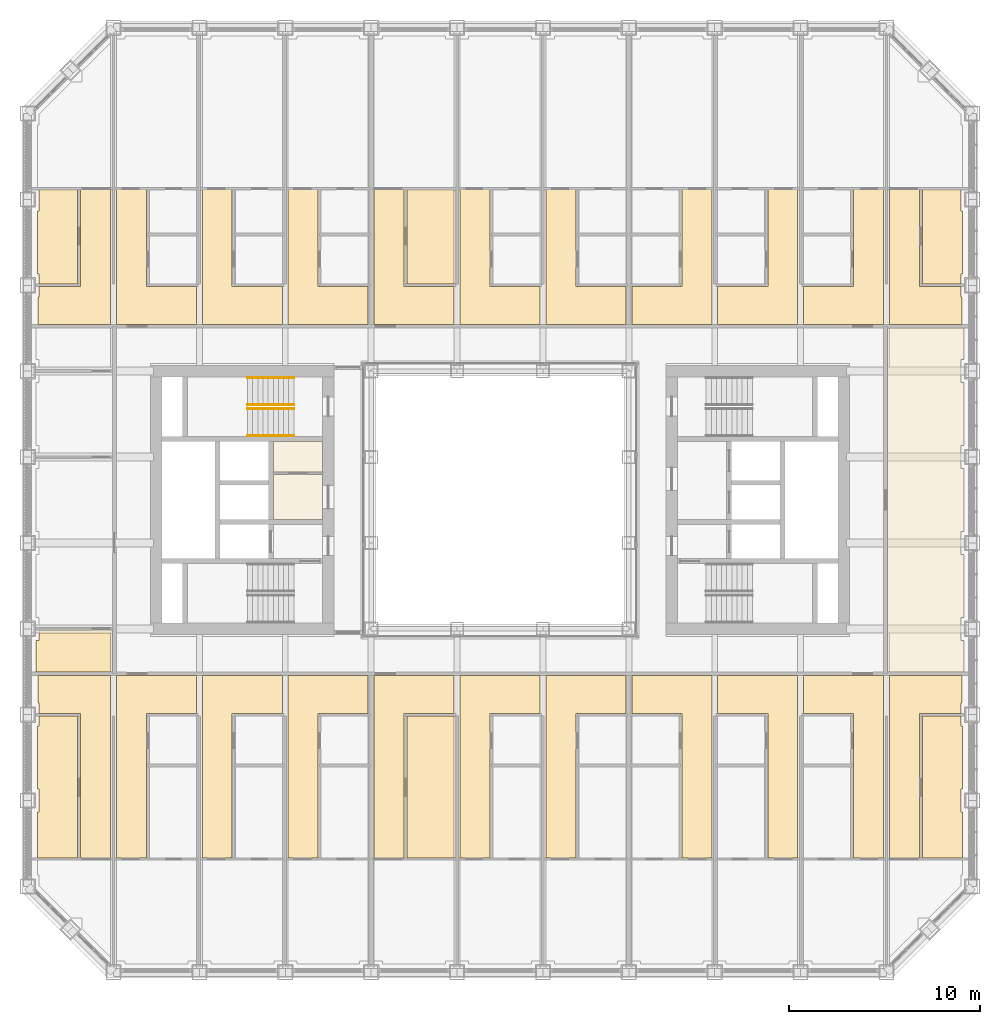
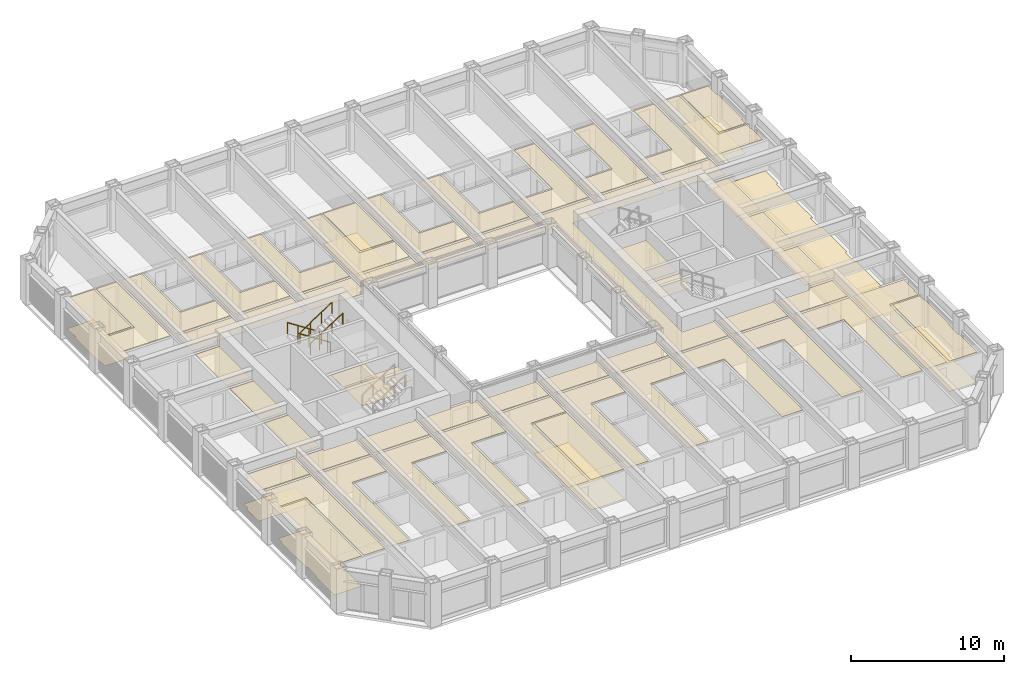
# One storey, part 18 of 21: 4 railings, 3 coverings.
"""IFC4 building model written with IfcOpenShell, lengths in metres."""

import ifcopenshell
import ifcopenshell.guid

model = None  # the IFC model being written
_history = None  # IfcOwnerHistory: only IFC2X3 demands one
_inside = {}  # id of a spatial element -> (the spatial element, [elements in it])
_under = {}  # id of a project, library or spatial element -> (it, [spatial elements below it])
_declared = {}  # id of a project -> (the project, [libraries it declares])
_typed = {}  # id of a type object -> (the type object, [elements of that type])
_made_of = {}  # id of a material, layer set ... -> (it, [elements and type objects made of it])


def new_model(schema):
    """Start an empty IFC model of exactly this schema.

    Asked for "IFC4X3", IfcOpenShell would pick the latest addendum, in which some entities
    have other attributes; the version numbers below select the first issue.
    IFC2X3 requires an IfcOwnerHistory on every rooted entity: one is made here for all.
    """
    global model, _history
    if schema == "IFC4X3":
        model = ifcopenshell.file(schema_version=(4, 3, 0, 0))
    else:
        model = ifcopenshell.file(schema=schema)
    _inside.clear()
    _under.clear()
    _declared.clear()
    _typed.clear()
    _made_of.clear()
    _history = None
    if model.schema == "IFC2X3":
        org = make("IfcOrganization", Name="unknown")
        user = make(
            "IfcPersonAndOrganization",
            ThePerson=make("IfcPerson", FamilyName="unknown"),
            TheOrganization=org,
        )
        app = make(
            "IfcApplication",
            ApplicationDeveloper=org,
            Version="unknown",
            ApplicationFullName="unknown",
            ApplicationIdentifier="unknown",
        )
        _history = make(
            "IfcOwnerHistory",
            OwningUser=user,
            OwningApplication=app,
            ChangeAction="ADDED",
            CreationDate=0,
        )
    return model


def make(cls, **values):
    """One entity of the class cls with the attributes given. An attribute that is None is left unset."""
    return model.create_entity(
        cls, **{name: value for name, value in values.items() if value is not None}
    )


def rooted(cls, **values):
    """An entity with a GlobalId (a new one), such as an element, a storey or a relation."""
    return make(cls, GlobalId=ifcopenshell.guid.new(), OwnerHistory=_history, **values)


def si_unit(unit_type, name, prefix=None):
    """IfcSIUnit, for example si_unit("LENGTHUNIT", "METRE", prefix="MILLI")."""
    return make("IfcSIUnit", UnitType=unit_type, Prefix=prefix, Name=name)


def assignment(units):
    """IfcUnitAssignment: the units of a project."""
    return None if units is None else make("IfcUnitAssignment", Units=units)


def point(xyz):
    """IfcCartesianPoint."""
    return None if xyz is None else make("IfcCartesianPoint", Coordinates=xyz)


def direction(xyz):
    """IfcDirection."""
    return None if xyz is None else make("IfcDirection", DirectionRatios=xyz)


def frame(location, z_axis=None, x_axis=None):
    """IfcAxis2Placement3D, a coordinate frame: its origin and axes. An axis left out is left unset."""
    return make(
        "IfcAxis2Placement3D",
        Location=point(location),
        Axis=direction(z_axis),
        RefDirection=direction(x_axis),
    )


def frame_2d(location, x_axis=None):
    """IfcAxis2Placement2D, a coordinate frame in the plane: its origin and x axis."""
    return make(
        "IfcAxis2Placement2D", Location=point(location), RefDirection=direction(x_axis)
    )


def origin():
    """The frame at (0, 0, 0) with its axes left unset."""
    return frame((0.0, 0.0, 0.0))


def origin_2d():
    """The frame at (0, 0) in the plane with its x axis left unset."""
    return frame_2d((0.0, 0.0))


def place(relative_to, where):
    """IfcLocalPlacement: puts the frame where relative to a parent placement (None: the world)."""
    return make(
        "IfcLocalPlacement", PlacementRelTo=relative_to, RelativePlacement=where
    )


def context(
    kind, dimensions, precision=None, world=None, true_north=None, identifier=None
):
    """IfcGeometricRepresentationContext, for example the 3D "Model" context."""
    return make(
        "IfcGeometricRepresentationContext",
        ContextIdentifier=identifier,
        ContextType=kind,
        CoordinateSpaceDimension=dimensions,
        Precision=precision,
        WorldCoordinateSystem=world,
        TrueNorth=true_north,
    )


def subcontext(parent, identifier, kind, view, scale=None):
    """IfcGeometricRepresentationSubContext, for example "Body" below "Model"."""
    return make(
        "IfcGeometricRepresentationSubContext",
        ContextIdentifier=identifier,
        ContextType=kind,
        ParentContext=parent,
        TargetScale=scale,
        TargetView=view,
    )


def project(units=None, contexts=None):
    """IfcProject with its units and contexts."""
    return rooted(
        "IfcProject",
        Name="project",
        RepresentationContexts=contexts,
        UnitsInContext=assignment(units),
    )


def spatial(cls, under=None, at=None, **own):
    """A site, building, storey or space (cls), placed at a placement, below another one or the project."""
    s = rooted(cls, ObjectPlacement=at, **own)
    if under is not None:
        _under.setdefault(under.id(), (under, []))[1].append(s)
    return s


def point_list(points):
    """IfcCartesianPointList2D or 3D."""
    cls = (
        "IfcCartesianPointList2D" if len(points[0]) == 2 else "IfcCartesianPointList3D"
    )
    return make(cls, CoordList=points)


def line(*indices):
    """IfcLineIndex: a straight run through numbered points of an indexed curve."""
    return model.create_entity("IfcLineIndex", indices)


def indexed_curve(points, segments=None, self_intersect=None):
    """IfcIndexedPolyCurve: lines and arcs through numbered points (the first is 1)."""
    return make(
        "IfcIndexedPolyCurve",
        Points=point_list(points),
        Segments=segments,
        SelfIntersect=self_intersect,
    )


def profile(cls, at=None, kind="AREA", **sizes):
    """A parametric profile (cls). Its sizes go by their IFC names, for example OverallWidth=200.0."""
    return make(cls, ProfileType=kind, Position=at, **sizes)


def circle(**sizes):
    """IfcCircleProfileDef."""
    return profile("IfcCircleProfileDef", **sizes)


def outline(outer, holes=None, kind="AREA"):
    """IfcArbitraryClosedProfileDef: a profile drawn as a closed curve; with holes, ...WithVoids."""
    if holes is None:
        return make("IfcArbitraryClosedProfileDef", ProfileType=kind, OuterCurve=outer)
    return make(
        "IfcArbitraryProfileDefWithVoids",
        ProfileType=kind,
        OuterCurve=outer,
        InnerCurves=holes,
    )


def extrude(swept, where, along, depth):
    """IfcExtrudedAreaSolid: the profile swept, set in the frame where, extruded along a direction by depth."""
    return make(
        "IfcExtrudedAreaSolid",
        SweptArea=swept,
        Position=where,
        ExtrudedDirection=direction(along),
        Depth=depth,
    )


def shape(context_of_items, identifier, shape_type, items):
    """IfcShapeRepresentation: the items that make up one representation, for example the "Body"."""
    return make(
        "IfcShapeRepresentation",
        ContextOfItems=context_of_items,
        RepresentationIdentifier=identifier,
        RepresentationType=shape_type,
        Items=items,
    )


def material(Name=None, Category=None):
    """IfcMaterial."""
    return make("IfcMaterial", Name=Name, Category=Category)


def layer(
    of_material, thickness, ventilated=None, Name=None, Category=None, Priority=None
):
    """IfcMaterialLayer: one layer of a wall or slab, of a material (None: an air gap)."""
    return make(
        "IfcMaterialLayer",
        Material=of_material,
        LayerThickness=thickness,
        IsVentilated=ventilated,
        Name=Name,
        Category=Category,
        Priority=Priority,
    )


def layer_set(layers, Name=None):
    """IfcMaterialLayerSet."""
    return make("IfcMaterialLayerSet", MaterialLayers=layers, LayerSetName=Name)


def made_of(thing, what):
    """Note that an element or type object is made of a material, layer set ...; save() writes the relation."""
    if what is not None:
        _made_of.setdefault(what.id(), (what, []))[1].append(thing)
    return thing


def type_object(cls, material=None, **own):
    """A type object (cls), such as IfcWallType, which elements share."""
    return made_of(rooted(cls, **own), material)


def element(
    cls,
    number,
    at=None,
    inside=None,
    cuts=None,
    type_object=None,
    material=None,
    context=None,
    identifier="Body",
    shape_type=None,
    held_by="IfcProductDefinitionShape",
    body=None,
    shapes=None,
    **own,
):
    """One element of the class cls, such as IfcWall. Its Tag is "e" and its number.

    at: its placement. inside: the storey or other place that contains it. cuts: it is an
    opening in that element (IfcRelVoidsElement). A single representation is given by context,
    identifier, shape_type and body (its items); several are given by shapes. held_by: the class
    of the entity that holds the representations. save() writes the other relations.
    """
    e = rooted(cls, Tag="e%d" % number, ObjectPlacement=at, **own)
    if body is not None:
        shapes = [shape(context, identifier, shape_type, body)]
    if shapes is not None:
        e.Representation = make(held_by, Representations=shapes)
    if inside is not None:
        _inside.setdefault(inside.id(), (inside, []))[1].append(e)
    if cuts is not None:
        rooted(
            "IfcRelVoidsElement", RelatingBuildingElement=cuts, RelatedOpeningElement=e
        )
    if type_object is not None:
        _typed.setdefault(type_object.id(), (type_object, []))[1].append(e)
    return made_of(e, material)


def aggregate(whole, parts):
    """IfcRelAggregates: a whole, such as a stair, and the parts it consists of."""
    return rooted("IfcRelAggregates", RelatingObject=whole, RelatedObjects=parts)


def save(model, path):
    """Write the relations noted so far, then the file.

    IfcRelAggregates (storeys below a building ...), IfcRelContainedInSpatialStructure (elements
    in a storey), IfcRelDefinesByType, IfcRelAssociatesMaterial and IfcRelDeclares: one each for
    every whole, place, type object, material and project.
    """
    for whole, parts in _under.values():
        aggregate(whole, parts)
    for where, things in _inside.values():
        rooted(
            "IfcRelContainedInSpatialStructure",
            RelatedElements=things,
            RelatingStructure=where,
        )
    for kind, things in _typed.values():
        rooted("IfcRelDefinesByType", RelatedObjects=things, RelatingType=kind)
    for what, things in _made_of.values():
        rooted("IfcRelAssociatesMaterial", RelatedObjects=things, RelatingMaterial=what)
    for by, libraries in _declared.values():
        rooted("IfcRelDeclares", RelatingContext=by, RelatedDefinitions=libraries)
    model.write(path)


model = new_model("IFC4")

# Units and contexts
model_context = context("Model", 3, precision=1e-05, world=origin(), true_north=direction((0.0, 1.0)))
body_context = subcontext(model_context, "Body", "Model", "MODEL_VIEW")
ifc_project = project(units=[si_unit("LENGTHUNIT", "METRE"), si_unit("AREAUNIT", "SQUARE_METRE"), si_unit("VOLUMEUNIT", "CUBIC_METRE"), si_unit("PLANEANGLEUNIT", "RADIAN"), si_unit("MASSUNIT", "GRAM", prefix="KILO")], contexts=[model_context])

# Site, building, storey
site_placement = place(None, origin())
site = spatial("IfcSite", under=ifc_project, at=site_placement, CompositionType="ELEMENT")
building_placement = place(site_placement, origin())
building = spatial("IfcBuilding", under=site, at=building_placement, Name="Msasa Ring Tower", CompositionType="ELEMENT")
storey_placement = place(building_placement, frame((0.0, 0.0, 93.0)))
storey = spatial("IfcBuildingStorey", under=building, at=storey_placement, Name="L24", CompositionType="ELEMENT", Elevation=93.0)

# Coverings
ifc_material_1 = material(Name="Gypsum plasterboard on a steel suspension grid", Category="steel")
ifc_layer_1 = layer(ifc_material_1, 0.014892578125)
ifc_layer_set_1 = layer_set([ifc_layer_1], Name="C1 SUSPENDED PLASTERBOARD CEILING 15")
covering_type_1 = type_object("IfcCoveringType", Name="C1 SUSPENDED PLASTERBOARD CEILING 15", PredefinedType="CEILING", material=ifc_layer_set_1)
covering_1_placement = place(storey_placement, frame((0.0, 0.0, 2.39990234375)))
element("IfcCovering", 1, at=covering_1_placement, inside=storey, type_object=covering_type_1, Name="Suspended Plasterboard Ceiling 15 circulation L24", PredefinedType="CEILING", context=body_context, shape_type="SweptSolid", body=[
    extrude(outline(indexed_curve([(-21.969482421875, -18.757080078125), (-21.969482421875, -11.18701171875), (-24.1494140625, -11.18701171875), (-24.1494140625, -10.6494140625), (-24.199462890625, -10.6494140625), (-24.199462890625, -9.200439453125), (-20.404296875, -9.200439453125), (-20.404296875, -18.757080078125)], segments=[line(1, 2, 3, 4, 5, 6, 7, 8, 1)], self_intersect=False)), origin(), (0.0, 0.0, 1.0), 0.01513671875),
    extrude(outline(indexed_curve([(-24.199462890625, 9.200439453125), (-24.199462890625, 10.6494140625), (-24.1494140625, 10.6494140625), (-24.1494140625, 11.18701171875), (-21.969482421875, 11.18701171875), (-21.969482421875, 16.257080078125), (-20.404296875, 16.257080078125), (-20.404296875, 9.200439453125)], segments=[line(1, 2, 3, 4, 5, 6, 7, 8, 1)], self_intersect=False)), origin(), (0.0, 0.0, 1.0), 0.01513671875),
    extrude(outline(indexed_curve([(-20.099609375, -2.460693359375), (-18.300537109375, -2.460693359375), (-18.300537109375, -6.539306640625), (-20.099609375, -6.539306640625)], segments=[line(1, 2, 3, 4, 1)], self_intersect=False)), origin(), (0.0, 0.0, 1.0), 0.01513671875),
    extrude(outline(indexed_curve([(-20.099609375, 2.039306640625), (-18.300537109375, 2.039306640625), (-18.300537109375, -2.039306640625), (-20.099609375, -2.039306640625)], segments=[line(1, 2, 3, 4, 1)], self_intersect=False)), origin(), (0.0, 0.0, 1.0), 0.01513671875),
    extrude(outline(indexed_curve([(-20.099609375, 6.539306640625), (-18.300537109375, 6.539306640625), (-18.300537109375, 2.460693359375), (-20.099609375, 2.460693359375)], segments=[line(1, 2, 3, 4, 1)], self_intersect=False)), origin(), (0.0, 0.0, 1.0), 0.01513671875),
    extrude(outline(indexed_curve([(-18.530517578125, -11.18701171875), (-18.530517578125, -18.757080078125), (-20.095703125, -18.757080078125), (-20.095703125, -9.200439453125), (-15.904296875, -9.200439453125), (-15.904296875, -11.18701171875)], segments=[line(1, 2, 3, 4, 5, 6, 1)], self_intersect=False)), origin(), (0.0, 0.0, 1.0), 0.01513671875),
    extrude(outline(indexed_curve([(-20.095703125, -8.99951171875), (-20.095703125, -6.960693359375), (-18.300537109375, -6.960693359375), (-18.300537109375, -7.150390625), (-15.904296875, -7.150390625), (-15.904296875, -8.99951171875)], segments=[line(1, 2, 3, 4, 5, 6, 1)], self_intersect=False)), origin(), (0.0, 0.0, 1.0), 0.01513671875),
    extrude(outline(indexed_curve([(-15.904296875, 8.99951171875), (-15.904296875, 7.150390625), (-18.300537109375, 7.150390625), (-18.300537109375, 6.960693359375), (-20.095703125, 6.960693359375), (-20.095703125, 8.99951171875)], segments=[line(1, 2, 3, 4, 5, 6, 1)], self_intersect=False)), origin(), (0.0, 0.0, 1.0), 0.01513671875),
    extrude(outline(indexed_curve([(-18.530517578125, 16.257080078125), (-18.530517578125, 11.18701171875), (-15.904296875, 11.18701171875), (-15.904296875, 9.200439453125), (-20.095703125, 9.200439453125), (-20.095703125, 16.257080078125)], segments=[line(1, 2, 3, 4, 5, 6, 1)], self_intersect=False)), origin(), (0.0, 0.0, 1.0), 0.01513671875),
    extrude(outline(indexed_curve([(-14.030517578125, -11.18701171875), (-14.030517578125, -18.757080078125), (-15.595703125, -18.757080078125), (-15.595703125, -9.200439453125), (-11.404296875, -9.200439453125), (-11.404296875, -11.18701171875)], segments=[line(1, 2, 3, 4, 5, 6, 1)], self_intersect=False)), origin(), (0.0, 0.0, 1.0), 0.01513671875),
    extrude(outline(indexed_curve([(-15.595703125, -8.99951171875), (-15.595703125, -7.150390625), (-11.404296875, -7.150390625), (-11.404296875, -8.99951171875)], segments=[line(1, 2, 3, 4, 1)], self_intersect=False)), origin(), (0.0, 0.0, 1.0), 0.01513671875),
    extrude(outline(indexed_curve([(-11.404296875, 8.99951171875), (-11.404296875, 7.150390625), (-15.595703125, 7.150390625), (-15.595703125, 8.99951171875)], segments=[line(1, 2, 3, 4, 1)], self_intersect=False)), origin(), (0.0, 0.0, 1.0), 0.01513671875),
    extrude(outline(indexed_curve([(-14.030517578125, 16.257080078125), (-14.030517578125, 11.18701171875), (-11.404296875, 11.18701171875), (-11.404296875, 9.200439453125), (-15.595703125, 9.200439453125), (-15.595703125, 16.257080078125)], segments=[line(1, 2, 3, 4, 5, 6, 1)], self_intersect=False)), origin(), (0.0, 0.0, 1.0), 0.01513671875),
    extrude(outline(indexed_curve([(-11.87451171875, -1.275390625), (-9.300537109375, -1.275390625), (-9.300537109375, -3.074462890625), (-11.87451171875, -3.074462890625)], segments=[line(1, 2, 3, 4, 1)], self_intersect=False)), origin(), (0.0, 0.0, 1.0), 0.01513671875),
    extrude(outline(indexed_curve([(-6.904296875, -9.200439453125), (-6.904296875, -11.18701171875), (-9.530517578125, -11.18701171875), (-9.530517578125, -18.757080078125), (-11.095703125, -18.757080078125), (-11.095703125, -9.200439453125)], segments=[line(1, 2, 3, 4, 5, 6, 1)], self_intersect=False)), origin(), (0.0, 0.0, 1.0), 0.01513671875),
    extrude(outline(indexed_curve([(-11.095703125, -8.99951171875), (-11.095703125, -7.150390625), (-8.699462890625, -7.150390625), (-8.699462890625, -7.050537109375), (-7.280029296875, -7.050537109375), (-7.275390625, -7.275390625), (-6.904296875, -7.280029296875), (-6.904296875, -8.99951171875)], segments=[line(1, 2, 3, 4, 5, 6, 7, 8, 1)], self_intersect=False)), origin(), (0.0, 0.0, 1.0), 0.01513671875),
    extrude(outline(indexed_curve([(-6.904296875, 8.99951171875), (-6.904296875, 7.280029296875), (-7.275390625, 7.275390625), (-7.280029296875, 7.050537109375), (-8.699462890625, 7.050537109375), (-8.699462890625, 7.150390625), (-11.095703125, 7.150390625), (-11.095703125, 8.99951171875)], segments=[line(1, 2, 3, 4, 5, 6, 7, 8, 1)], self_intersect=False)), origin(), (0.0, 0.0, 1.0), 0.01513671875),
    extrude(outline(indexed_curve([(-9.530517578125, 16.257080078125), (-9.530517578125, 11.18701171875), (-6.904296875, 11.18701171875), (-6.904296875, 9.200439453125), (-11.095703125, 9.200439453125), (-11.095703125, 16.257080078125)], segments=[line(1, 2, 3, 4, 5, 6, 1)], self_intersect=False)), origin(), (0.0, 0.0, 1.0), 0.01513671875),
    extrude(outline(indexed_curve([(-5.030517578125, -11.18701171875), (-5.030517578125, -18.757080078125), (-6.595703125, -18.757080078125), (-6.595703125, -9.200439453125), (-2.404296875, -9.200439453125), (-2.404296875, -11.18701171875)], segments=[line(1, 2, 3, 4, 5, 6, 1)], self_intersect=False)), origin(), (0.0, 0.0, 1.0), 0.01513671875),
    extrude(outline(indexed_curve([(-6.595703125, -8.99951171875), (-6.595703125, -7.280029296875), (-2.404296875, -7.280029296875), (-2.404296875, -8.99951171875)], segments=[line(1, 2, 3, 4, 1)], self_intersect=False)), origin(), (0.0, 0.0, 1.0), 0.01513671875),
    extrude(outline(indexed_curve([(-2.404296875, 8.99951171875), (-2.404296875, 7.280029296875), (-6.595703125, 7.280029296875), (-6.595703125, 8.99951171875)], segments=[line(1, 2, 3, 4, 1)], self_intersect=False)), origin(), (0.0, 0.0, 1.0), 0.01513671875),
    extrude(outline(indexed_curve([(-2.404296875, 11.18701171875), (-2.404296875, 9.200439453125), (-6.595703125, 9.200439453125), (-6.595703125, 16.257080078125), (-5.030517578125, 16.257080078125), (-5.030517578125, 11.18701171875)], segments=[line(1, 2, 3, 4, 5, 6, 1)], self_intersect=False)), origin(), (0.0, 0.0, 1.0), 0.01513671875),
    extrude(outline(indexed_curve([(-0.530517578125, -11.18701171875), (-0.530517578125, -18.757080078125), (-2.095703125, -18.757080078125), (-2.095703125, -9.200439453125), (2.095703125, -9.200439453125), (2.095703125, -11.18701171875)], segments=[line(1, 2, 3, 4, 5, 6, 1)], self_intersect=False)), origin(), (0.0, 0.0, 1.0), 0.01513671875),
    extrude(outline(indexed_curve([(-2.095703125, -8.99951171875), (-2.095703125, -7.280029296875), (2.095703125, -7.280029296875), (2.095703125, -8.99951171875)], segments=[line(1, 2, 3, 4, 1)], self_intersect=False)), origin(), (0.0, 0.0, 1.0), 0.01513671875),
    extrude(outline(indexed_curve([(2.095703125, 8.99951171875), (2.095703125, 7.280029296875), (-2.095703125, 7.280029296875), (-2.095703125, 8.99951171875)], segments=[line(1, 2, 3, 4, 1)], self_intersect=False)), origin(), (0.0, 0.0, 1.0), 0.01513671875),
    extrude(outline(indexed_curve([(-0.530517578125, 16.257080078125), (-0.530517578125, 11.18701171875), (2.095703125, 11.18701171875), (2.095703125, 9.200439453125), (-2.095703125, 9.200439453125), (-2.095703125, 16.257080078125)], segments=[line(1, 2, 3, 4, 5, 6, 1)], self_intersect=False)), origin(), (0.0, 0.0, 1.0), 0.01513671875),
    extrude(outline(indexed_curve([(6.595703125, -9.200439453125), (6.595703125, -11.18701171875), (3.969482421875, -11.18701171875), (3.969482421875, -18.757080078125), (2.404296875, -18.757080078125), (2.404296875, -9.200439453125)], segments=[line(1, 2, 3, 4, 5, 6, 1)], self_intersect=False)), origin(), (0.0, 0.0, 1.0), 0.01513671875),
    extrude(outline(indexed_curve([(2.404296875, -8.99951171875), (2.404296875, -7.280029296875), (6.595703125, -7.280029296875), (6.595703125, -8.99951171875)], segments=[line(1, 2, 3, 4, 1)], self_intersect=False)), origin(), (0.0, 0.0, 1.0), 0.01513671875),
    extrude(outline(indexed_curve([(6.595703125, 8.99951171875), (6.595703125, 7.280029296875), (2.404296875, 7.280029296875), (2.404296875, 8.99951171875)], segments=[line(1, 2, 3, 4, 1)], self_intersect=False)), origin(), (0.0, 0.0, 1.0), 0.01513671875),
    extrude(outline(indexed_curve([(3.969482421875, 16.257080078125), (3.969482421875, 11.18701171875), (6.595703125, 11.18701171875), (6.595703125, 9.200439453125), (2.404296875, 9.200439453125), (2.404296875, 16.257080078125)], segments=[line(1, 2, 3, 4, 5, 6, 1)], self_intersect=False)), origin(), (0.0, 0.0, 1.0), 0.01513671875),
    extrude(outline(indexed_curve([(9.530517578125, -18.757080078125), (9.530517578125, -11.18701171875), (6.904296875, -11.18701171875), (6.904296875, -9.200439453125), (11.095703125, -9.200439453125), (11.095703125, -18.757080078125)], segments=[line(1, 2, 3, 4, 5, 6, 1)], self_intersect=False)), origin(), (0.0, 0.0, 1.0), 0.01513671875),
    extrude(outline(indexed_curve([(6.904296875, -8.99951171875), (6.904296875, -7.280029296875), (7.275390625, -7.275390625), (7.280517578125, -7.23046875), (7.280517578125, 7.23046875), (7.275390625, 7.275390625), (6.904296875, 7.280029296875), (6.904296875, 8.99951171875), (11.095703125, 8.99951171875), (11.095703125, 7.150390625), (8.699462890625, 7.150390625), (8.699462890625, -7.150390625), (11.095703125, -7.150390625), (11.095703125, -8.99951171875)], segments=[line(1, 2, 3, 4, 5, 6, 7, 8, 9, 10, 11, 12, 13, 14, 1)], self_intersect=False)), origin(), (0.0, 0.0, 1.0), 0.01513671875),
    extrude(outline(indexed_curve([(6.904296875, 9.200439453125), (6.904296875, 11.18701171875), (9.530517578125, 11.18701171875), (9.530517578125, 16.257080078125), (11.095703125, 16.257080078125), (11.095703125, 9.200439453125)], segments=[line(1, 2, 3, 4, 5, 6, 1)], self_intersect=False)), origin(), (0.0, 0.0, 1.0), 0.01513671875),
    extrude(outline(indexed_curve([(9.300537109375, -1.275390625), (11.87451171875, -1.275390625), (11.87451171875, -3.074462890625), (9.300537109375, -3.074462890625)], segments=[line(1, 2, 3, 4, 1)], self_intersect=False)), origin(), (0.0, 0.0, 1.0), 0.01513671875),
    extrude(outline(indexed_curve([(9.300537109375, -1.0244140625), (9.300537109375, 3.074462890625), (11.87451171875, 3.074462890625), (11.87451171875, -1.0244140625)], segments=[line(1, 2, 3, 4, 1)], self_intersect=False)), origin(), (0.0, 0.0, 1.0), 0.01513671875),
    extrude(outline(indexed_curve([(14.030517578125, -18.757080078125), (14.030517578125, -11.18701171875), (11.404296875, -11.18701171875), (11.404296875, -9.200439453125), (15.595703125, -9.200439453125), (15.595703125, -18.757080078125)], segments=[line(1, 2, 3, 4, 5, 6, 1)], self_intersect=False)), origin(), (0.0, 0.0, 1.0), 0.01513671875),
    extrude(outline(indexed_curve([(11.404296875, -8.99951171875), (11.404296875, -7.150390625), (15.595703125, -7.150390625), (15.595703125, -8.99951171875)], segments=[line(1, 2, 3, 4, 1)], self_intersect=False)), origin(), (0.0, 0.0, 1.0), 0.01513671875),
    extrude(outline(indexed_curve([(15.595703125, 8.99951171875), (15.595703125, 7.150390625), (11.404296875, 7.150390625), (11.404296875, 8.99951171875)], segments=[line(1, 2, 3, 4, 1)], self_intersect=False)), origin(), (0.0, 0.0, 1.0), 0.01513671875),
    extrude(outline(indexed_curve([(14.030517578125, 16.257080078125), (15.595703125, 16.257080078125), (15.595703125, 9.200439453125), (11.404296875, 9.200439453125), (11.404296875, 11.18701171875), (14.030517578125, 11.18701171875)], segments=[line(1, 2, 3, 4, 5, 6, 1)], self_intersect=False)), origin(), (0.0, 0.0, 1.0), 0.01513671875),
    extrude(outline(indexed_curve([(18.530517578125, -18.757080078125), (18.530517578125, -11.18701171875), (15.904296875, -11.18701171875), (15.904296875, -9.200439453125), (20.095703125, -9.200439453125), (20.095703125, -18.757080078125)], segments=[line(1, 2, 3, 4, 5, 6, 1)], self_intersect=False)), origin(), (0.0, 0.0, 1.0), 0.01513671875),
    extrude(outline(indexed_curve([(15.904296875, -8.99951171875), (15.904296875, -7.150390625), (18.300537109375, -7.150390625), (18.300537109375, -6.960693359375), (20.095703125, -6.960693359375), (20.095703125, -8.99951171875)], segments=[line(1, 2, 3, 4, 5, 6, 1)], self_intersect=False)), origin(), (0.0, 0.0, 1.0), 0.01513671875),
    extrude(outline(indexed_curve([(20.095703125, 8.99951171875), (20.095703125, 6.960693359375), (18.300537109375, 6.960693359375), (18.300537109375, 7.150390625), (15.904296875, 7.150390625), (15.904296875, 8.99951171875)], segments=[line(1, 2, 3, 4, 5, 6, 1)], self_intersect=False)), origin(), (0.0, 0.0, 1.0), 0.01513671875),
    extrude(outline(indexed_curve([(18.530517578125, 11.18701171875), (18.530517578125, 16.257080078125), (20.095703125, 16.257080078125), (20.095703125, 9.200439453125), (15.904296875, 9.200439453125), (15.904296875, 11.18701171875)], segments=[line(1, 2, 3, 4, 5, 6, 1)], self_intersect=False)), origin(), (0.0, 0.0, 1.0), 0.01513671875),
    extrude(outline(indexed_curve([(20.099609375, -6.539306640625), (18.300537109375, -6.539306640625), (18.300537109375, -2.460693359375), (20.099609375, -2.460693359375)], segments=[line(1, 2, 3, 4, 1)], self_intersect=False)), origin(), (0.0, 0.0, 1.0), 0.01513671875),
    extrude(outline(indexed_curve([(20.099609375, -2.039306640625), (18.300537109375, -2.039306640625), (18.300537109375, 2.039306640625), (20.099609375, 2.039306640625)], segments=[line(1, 2, 3, 4, 1)], self_intersect=False)), origin(), (0.0, 0.0, 1.0), 0.01513671875),
    extrude(outline(indexed_curve([(20.099609375, 2.460693359375), (18.300537109375, 2.460693359375), (18.300537109375, 6.539306640625), (20.099609375, 6.539306640625)], segments=[line(1, 2, 3, 4, 1)], self_intersect=False)), origin(), (0.0, 0.0, 1.0), 0.01513671875),
    extrude(outline(indexed_curve([(24.199462890625, -9.200439453125), (24.199462890625, -10.6494140625), (24.1494140625, -10.6494140625), (24.1494140625, -11.18701171875), (21.969482421875, -11.18701171875), (21.969482421875, -18.757080078125), (20.404296875, -18.757080078125), (20.404296875, -9.200439453125)], segments=[line(1, 2, 3, 4, 5, 6, 7, 8, 1)], self_intersect=False)), origin(), (0.0, 0.0, 1.0), 0.01513671875),
    extrude(outline(indexed_curve([(21.969482421875, 16.257080078125), (21.969482421875, 11.18701171875), (24.1494140625, 11.18701171875), (24.1494140625, 10.6494140625), (24.199462890625, 10.6494140625), (24.199462890625, 9.200439453125), (20.404296875, 9.200439453125), (20.404296875, 16.257080078125)], segments=[line(1, 2, 3, 4, 5, 6, 7, 8, 1)], self_intersect=False)), origin(), (0.0, 0.0, 1.0), 0.01513671875),
])
ifc_material_2 = material(Name="Perforated aluminium ceiling pans on a steel grid", Category="steel")
ifc_layer_2 = layer(ifc_material_2, 0.02490234375)
ifc_layer_set_2 = layer_set([ifc_layer_2], Name="C4 PERFORATED METAL PAN CEILING 25")
covering_type_2 = type_object("IfcCoveringType", Name="C4 PERFORATED METAL PAN CEILING 25", PredefinedType="CEILING", material=ifc_layer_set_2)
covering_2_placement = place(storey_placement, frame((0.0, 0.0, 2.39990234375)))
element("IfcCovering", 2, at=covering_2_placement, inside=storey, type_object=covering_type_2, Name="Perforated Metal Pan Ceiling 25 L24", PredefinedType="CEILING", context=body_context, shape_type="SweptSolid", body=[
    extrude(outline(indexed_curve([(-24.299560546875, -8.99951171875), (-24.299560546875, -7.3505859375), (-24.1494140625, -7.3505859375), (-24.1494140625, -6.960693359375), (-20.404296875, -6.960693359375), (-20.404296875, -8.99951171875)], segments=[line(1, 2, 3, 4, 5, 6, 1)], self_intersect=False)), origin(), (0.0, 0.0, 1.0), 0.025146484375),
    extrude(outline(indexed_curve([(-22.130615234375, -18.757080078125), (-24.23193359375, -18.757080078125), (-24.23193359375, -16.3505859375), (-24.1494140625, -16.3505859375), (-24.1494140625, -15.1494140625), (-24.23193359375, -15.1494140625), (-24.23193359375, -11.8505859375), (-24.1494140625, -11.8505859375), (-24.1494140625, -11.318115234375), (-22.130615234375, -11.318115234375)], segments=[line(1, 2, 3, 4, 5, 6, 7, 8, 9, 10, 1)], self_intersect=False)), origin(), (0.0, 0.0, 1.0), 0.025146484375),
    extrude(outline(indexed_curve([(-24.1494140625, 11.318115234375), (-24.1494140625, 11.8505859375), (-24.23193359375, 11.8505859375), (-24.23193359375, 15.1494140625), (-24.1494140625, 15.1494140625), (-24.1494140625, 16.257080078125), (-22.130615234375, 16.257080078125), (-22.130615234375, 11.318115234375)], segments=[line(1, 2, 3, 4, 5, 6, 7, 8, 1)], self_intersect=False)), origin(), (0.0, 0.0, 1.0), 0.025146484375),
    extrude(outline(indexed_curve([(-4.869384765625, -18.757080078125), (-4.869384765625, -11.318115234375), (-2.404296875, -11.318115234375), (-2.404296875, -18.757080078125)], segments=[line(1, 2, 3, 4, 1)], self_intersect=False)), origin(), (0.0, 0.0, 1.0), 0.025146484375),
    extrude(outline(indexed_curve([(-4.869384765625, 11.318115234375), (-4.869384765625, 16.257080078125), (-2.404296875, 16.257080078125), (-2.404296875, 11.318115234375)], segments=[line(1, 2, 3, 4, 1)], self_intersect=False)), origin(), (0.0, 0.0, 1.0), 0.025146484375),
    extrude(outline(indexed_curve([(22.130615234375, -18.757080078125), (22.130615234375, -11.318115234375), (24.1494140625, -11.318115234375), (24.1494140625, -11.8505859375), (24.23193359375, -11.8505859375), (24.23193359375, -15.1494140625), (24.1494140625, -15.1494140625), (24.1494140625, -16.3505859375), (24.23193359375, -16.3505859375), (24.23193359375, -18.757080078125)], segments=[line(1, 2, 3, 4, 5, 6, 7, 8, 9, 10, 1)], self_intersect=False)), origin(), (0.0, 0.0, 1.0), 0.025146484375),
    extrude(outline(indexed_curve([(22.130615234375, 11.318115234375), (22.130615234375, 16.257080078125), (24.1494140625, 16.257080078125), (24.1494140625, 15.1494140625), (24.23193359375, 15.1494140625), (24.23193359375, 11.8505859375), (24.1494140625, 11.8505859375), (24.1494140625, 11.318115234375)], segments=[line(1, 2, 3, 4, 5, 6, 7, 8, 1)], self_intersect=False)), origin(), (0.0, 0.0, 1.0), 0.025146484375),
])
ifc_material_3 = material(Name="Welded vinyl safety sheet flooring", Category="vinyl")
ifc_layer_3 = layer(ifc_material_3, 0.0029296875)
ifc_layer_set_3 = layer_set([ifc_layer_3], Name="F5 RESILIENT SHEET FLOORING 3")
covering_type_3 = type_object("IfcCoveringType", Name="F5 RESILIENT SHEET FLOORING 3", PredefinedType="FLOORING", material=ifc_layer_set_3)
covering_3_placement = place(storey_placement, origin())
element("IfcCovering", 3, at=covering_3_placement, inside=storey, type_object=covering_type_3, Name="Resilient Sheet Flooring 3 L24", PredefinedType="FLOORING", context=body_context, shape_type="SweptSolid", body=[
    extrude(outline(indexed_curve([(-24.299560546875, -8.99951171875), (-24.299560546875, -7.3505859375), (-24.1494140625, -7.3505859375), (-24.1494140625, -6.805419921875), (-20.300537109375, -6.805419921875), (-20.300537109375, -8.99951171875)], segments=[line(1, 2, 3, 4, 5, 6, 1)], self_intersect=False)), origin(), (0.0, 0.0, 1.0), 0.0029296875),
    extrude(outline(indexed_curve([(-24.23193359375, -16.3505859375), (-24.1494140625, -16.3505859375), (-24.1494140625, -15.1494140625), (-24.23193359375, -15.1494140625), (-24.23193359375, -11.8505859375), (-24.1494140625, -11.8505859375), (-24.1494140625, -11.318115234375), (-22.130615234375, -11.318115234375), (-22.130615234375, -18.74951171875), (-24.23193359375, -18.74951171875)], segments=[line(1, 2, 3, 4, 5, 6, 7, 8, 9, 10, 1)], self_intersect=False)), origin(), (0.0, 0.0, 1.0), 0.0029296875),
    extrude(outline(indexed_curve([(-24.23193359375, 15.1494140625), (-24.1494140625, 15.1494140625), (-24.1494140625, 16.24951171875), (-22.130615234375, 16.24951171875), (-22.130615234375, 11.318115234375), (-24.1494140625, 11.318115234375), (-24.1494140625, 11.8505859375), (-24.23193359375, 11.8505859375)], segments=[line(1, 2, 3, 4, 5, 6, 7, 8, 1)], self_intersect=False)), origin(), (0.0, 0.0, 1.0), 0.0029296875),
    extrude(outline(indexed_curve([(-11.87451171875, 1.344482421875), (-9.300537109375, 1.344482421875), (-9.300537109375, -1.0244140625), (-11.87451171875, -1.0244140625)], segments=[line(1, 2, 3, 4, 1)], self_intersect=False)), origin(), (0.0, 0.0, 1.0), 0.0029296875),
    extrude(outline(indexed_curve([(-11.87451171875, 3.074462890625), (-9.300537109375, 3.074462890625), (-9.300537109375, 1.45556640625), (-11.87451171875, 1.45556640625)], segments=[line(1, 2, 3, 4, 1)], self_intersect=False)), origin(), (0.0, 0.0, 1.0), 0.0029296875),
    extrude(outline(indexed_curve([(-4.869384765625, -11.318115234375), (-2.318115234375, -11.318115234375), (-2.318115234375, -18.74951171875), (-4.869384765625, -18.74951171875)], segments=[line(1, 2, 3, 4, 1)], self_intersect=False)), origin(), (0.0, 0.0, 1.0), 0.0029296875),
    extrude(outline(indexed_curve([(-2.318115234375, 11.318115234375), (-4.869384765625, 11.318115234375), (-4.869384765625, 16.24951171875), (-2.318115234375, 16.24951171875)], segments=[line(1, 2, 3, 4, 1)], self_intersect=False)), origin(), (0.0, 0.0, 1.0), 0.0029296875),
    extrude(outline(indexed_curve([(20.300537109375, 8.99951171875), (24.299560546875, 8.99951171875), (24.299560546875, 7.3505859375), (24.1494140625, 7.3505859375), (24.1494140625, 6.1494140625), (24.299560546875, 6.1494140625), (24.299560546875, 2.8505859375), (24.1494140625, 2.8505859375), (24.1494140625, 1.6494140625), (24.299560546875, 1.6494140625), (24.299560546875, -1.6494140625), (24.1494140625, -1.6494140625), (24.1494140625, -2.8505859375), (24.299560546875, -2.8505859375), (24.299560546875, -6.1494140625), (24.1494140625, -6.1494140625), (24.1494140625, -7.3505859375), (24.299560546875, -7.3505859375), (24.299560546875, -8.99951171875), (20.300537109375, -8.99951171875)], segments=[line(1, 2, 3, 4, 5, 6, 7, 8, 9, 10, 11, 12, 13, 14, 15, 16, 17, 18, 19, 20, 1)], self_intersect=False)), origin(), (0.0, 0.0, 1.0), 0.0029296875),
    extrude(outline(indexed_curve([(22.130615234375, -11.318115234375), (24.1494140625, -11.318115234375), (24.1494140625, -11.8505859375), (24.23193359375, -11.8505859375), (24.23193359375, -15.1494140625), (24.1494140625, -15.1494140625), (24.1494140625, -16.3505859375), (24.23193359375, -16.3505859375), (24.23193359375, -18.74951171875), (22.130615234375, -18.74951171875)], segments=[line(1, 2, 3, 4, 5, 6, 7, 8, 9, 10, 1)], self_intersect=False)), origin(), (0.0, 0.0, 1.0), 0.0029296875),
    extrude(outline(indexed_curve([(24.23193359375, 11.8505859375), (24.1494140625, 11.8505859375), (24.1494140625, 11.318115234375), (22.130615234375, 11.318115234375), (22.130615234375, 16.24951171875), (24.1494140625, 16.24951171875), (24.1494140625, 15.1494140625), (24.23193359375, 15.1494140625)], segments=[line(1, 2, 3, 4, 5, 6, 7, 8, 1)], self_intersect=False)), origin(), (0.0, 0.0, 1.0), 0.0029296875),
])

# Railings
ifc_material_4 = material(Name="Stainless steel", Category="steel")
railing_type = type_object("IfcRailingType", Name="HR1 HANDRAIL 900", PredefinedType="HANDRAIL", material=ifc_material_4)
for number, where, name in (
    (4, (-10.800048828125, 5.0, 0.175048828125), "Handrail stair SWB L24 1"),
    (5, (-10.800048828125, 6.39990234375, 0.175048828125), "Handrail stair SWB L24 2"),
):
    element("IfcRailing", number, at=place(storey_placement, frame(where)), inside=storey, type_object=railing_type, Name=name, PredefinedType="HANDRAIL", context=body_context, shape_type="SweptSolid", body=[
        extrude(circle(Radius=0.02392578125, at=origin_2d()), frame((0.0, 0.0, 0.8759765625), z_axis=(-0.839153699163, 0.0, 0.543894354798), x_axis=(0.0, -1.0, 0.0)), (0.0, 0.0, 1.0), 2.895751953125),
        extrude(circle(Radius=0.02099609375, at=origin_2d()), origin(), (0.0, 0.0, 1.0), 0.851806640625),
        extrude(circle(Radius=0.02099609375, at=origin_2d()), frame((-0.81005859375, 0.0, 0.52490234375)), (0.0, 0.0, 1.0), 0.851806640625),
        extrude(circle(Radius=0.02099609375, at=origin_2d()), frame((-1.619873046875, 0.0, 1.050048828125)), (0.0, 0.0, 1.0), 0.851806640625),
        extrude(circle(Radius=0.02099609375, at=origin_2d()), frame((-2.429931640625, 0.0, 1.574951171875)), (0.0, 0.0, 1.0), 0.851806640625),
    ])
for number, where, name in (
    (6, (-13.22998046875, 3.375, 1.925048828125), "Handrail stair SWB L24 3"),
    (7, (-13.22998046875, 4.77490234375, 1.925048828125), "Handrail stair SWB L24 4"),
):
    element("IfcRailing", number, at=place(storey_placement, frame(where)), inside=storey, type_object=railing_type, Name=name, PredefinedType="HANDRAIL", context=body_context, shape_type="SweptSolid", body=[
        extrude(circle(Radius=0.02392578125, at=origin_2d()), frame((0.0, 0.0, 0.8759765625), z_axis=(0.839153699163, 0.0, 0.543894354798), x_axis=(0.0, 1.0, 0.0)), (0.0, 0.0, 1.0), 2.895751953125),
        extrude(circle(Radius=0.02099609375, at=origin_2d()), origin(), (0.0, 0.0, 1.0), 0.851806640625),
        extrude(circle(Radius=0.02099609375, at=origin_2d()), frame((0.81005859375, 0.0, 0.52490234375)), (0.0, 0.0, 1.0), 0.851806640625),
        extrude(circle(Radius=0.02099609375, at=origin_2d()), frame((1.619873046875, 0.0, 1.050048828125)), (0.0, 0.0, 1.0), 0.851806640625),
        extrude(circle(Radius=0.02099609375, at=origin_2d()), frame((2.429931640625, 0.0, 1.574951171875)), (0.0, 0.0, 1.0), 0.851806640625),
    ])

save(model, "model.ifc")
